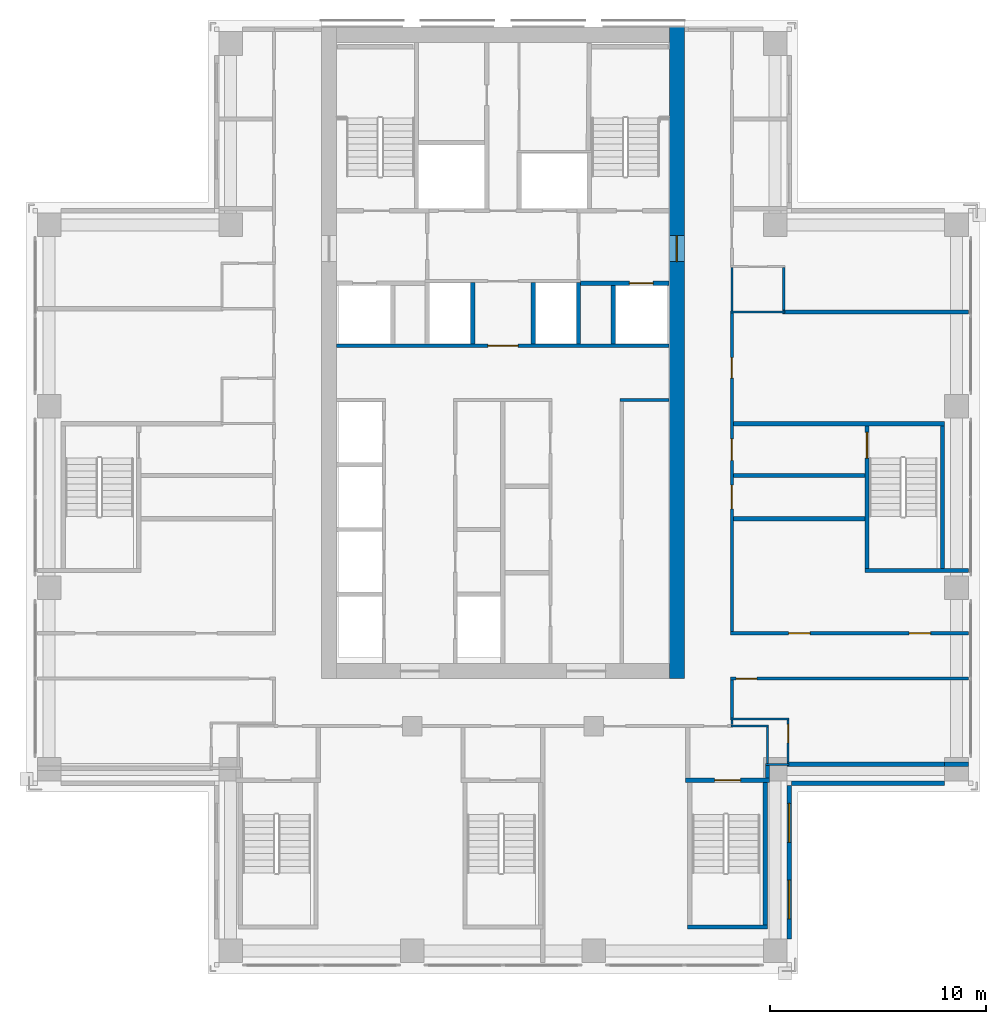
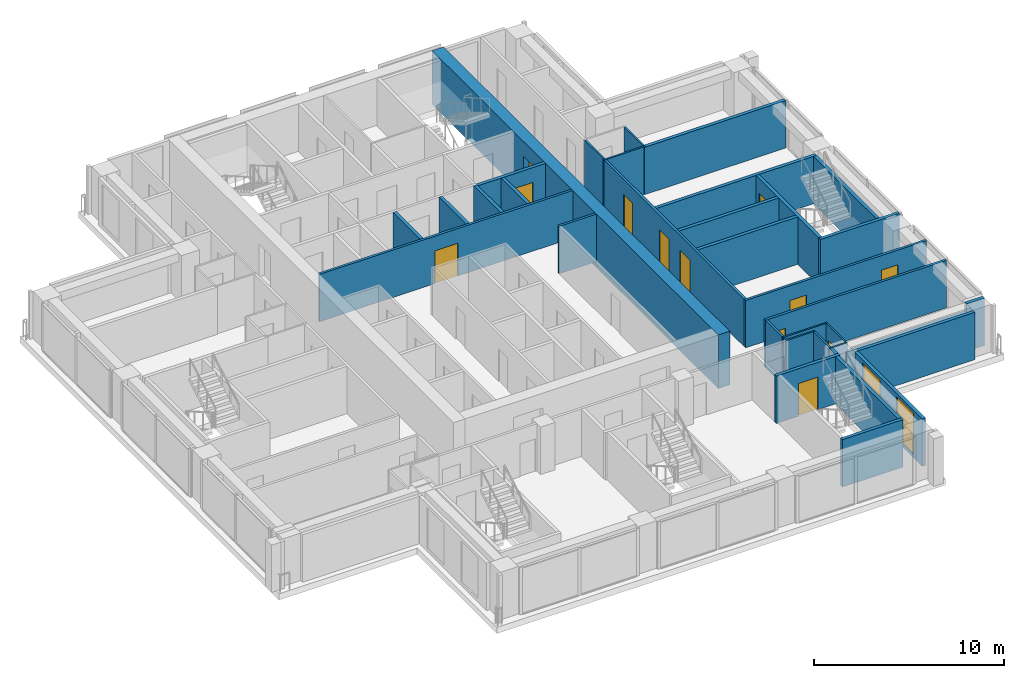
# One storey, part 11 of 16: 36 walls, 12 doors, 2 windows, 14 openings.
"""IFC4 building model written with IfcOpenShell, lengths in metres."""

from ifc_helpers import new_model, si_unit, direction, frame, frame_2d, origin, place, context, subcontext, project, spatial, rectangle, extrude, material, layer, layer_set, type_object, element, fill, save


model = new_model("IFC4")

# Units and contexts
model_context = context("Model", 3, precision=1e-05, world=origin(), true_north=direction((0.0, 1.0)))
body_context = subcontext(model_context, "Body", "Model", "MODEL_VIEW")
ifc_project = project(units=[si_unit("LENGTHUNIT", "METRE"), si_unit("AREAUNIT", "SQUARE_METRE"), si_unit("VOLUMEUNIT", "CUBIC_METRE"), si_unit("PLANEANGLEUNIT", "RADIAN"), si_unit("MASSUNIT", "GRAM", prefix="KILO")], contexts=[model_context])

# Site, building, storey
site_placement = place(None, origin())
site = spatial("IfcSite", under=ifc_project, at=site_placement, CompositionType="ELEMENT")
building_placement = place(site_placement, origin())
building = spatial("IfcBuilding", under=site, at=building_placement, Name="Vermilion Ogive Tower", CompositionType="ELEMENT")
storey_placement = place(building_placement, frame((0.0, 0.0, 160.699951171875)))
storey = spatial("IfcBuildingStorey", under=building, at=storey_placement, Name="L41", CompositionType="ELEMENT", Elevation=160.699951171875)

# Walls
ifc_material_1 = material(Name="Gypsum board partition on steel studs", Category="steel")
ifc_layer_1 = layer(ifc_material_1, 0.10009765625)
ifc_layer_set_1 = layer_set([ifc_layer_1], Name="Partition 100 bath")
wall_type_1 = type_object("IfcWallType", Name="Partition 100 bath", PredefinedType="PARTITIONING", material=ifc_layer_set_1)
wall_1_placement = place(storey_placement, frame((12.152099609375, -12.3701171875, 0.0), z_axis=(0.0, 0.0, 1.0), x_axis=(1.0, 0.0, 0.0)))
element("IfcWall", 1, at=wall_1_placement, inside=storey, type_object=wall_type_1, Name="L41-W-W009", PredefinedType="PARTITIONING", context=body_context, shape_type="SweptSolid", body=[
    extrude(rectangle(XDim=1.097900390625, YDim=0.10009765625, at=frame_2d((0.548828125, 0.0))), origin(), (0.0, 0.0, 1.0), 3.050048828125),
])
wall_2_placement = place(storey_placement, frame((10.550048828125, -10.60009765625, 0.0), z_axis=(0.0, 0.0, 1.0), x_axis=(1.0, 0.0, 0.0)))
element("IfcWall", 2, at=wall_2_placement, inside=storey, type_object=wall_type_1, Name="L41-W-W013", PredefinedType="PARTITIONING", context=body_context, shape_type="SweptSolid", body=[
    extrude(rectangle(XDim=1.75, YDim=0.10009765625, at=frame_2d((0.875, 0.0))), origin(), (0.0, 0.0, 1.0), 3.050048828125),
])
wall_3_placement = place(storey_placement, frame((10.52490234375, -10.27001953125, 0.0), z_axis=(0.0, 0.0, 1.0), x_axis=(1.0, 0.0, 0.0)))
element("IfcWall", 3, at=wall_3_placement, inside=storey, type_object=wall_type_1, Name="L41-W-W015", PredefinedType="PARTITIONING", context=body_context, shape_type="SweptSolid", body=[
    extrude(rectangle(XDim=2.72509765625, YDim=0.10009765625, at=frame_2d((1.362548828125, 0.0))), origin(), (0.0, 0.0, 1.0), 3.050048828125),
])
wall_4_placement = place(storey_placement, frame((10.52490234375, 8.570068359375, 0.0), z_axis=(0.0, 0.0, 1.0), x_axis=(1.0, 0.0, 0.0)))
element("IfcWall", 4, at=wall_4_placement, inside=storey, type_object=wall_type_1, Name="L41-W-W030", PredefinedType="PARTITIONING", context=body_context, shape_type="SweptSolid", body=[
    extrude(rectangle(XDim=2.525146484375, YDim=0.10009765625, at=frame_2d((1.2626953125, 0.0))), origin(), (0.0, 0.0, 1.0), 3.050048828125),
])
wall_5_placement = place(storey_placement, frame((10.60009765625, -10.52490234375, 0.0), z_axis=(0.0, 0.0, 1.0), x_axis=(0.0, 1.0, 0.0)))
element("IfcWall", 5, at=wall_5_placement, inside=storey, type_object=wall_type_1, Name="L41-W-W062", PredefinedType="PARTITIONING", context=body_context, shape_type="SweptSolid", body=[
    extrude(rectangle(XDim=0.204833984375, YDim=0.10009765625, at=frame_2d((0.1025390625, 0.0))), origin(), (0.0, 0.0, 1.0), 3.050048828125),
])
wall_6_placement = place(storey_placement, frame((10.60009765625, 8.6201171875, 0.0), z_axis=(0.0, 0.0, 1.0), x_axis=(0.0, 1.0, 0.0)))
element("IfcWall", 6, at=wall_6_placement, inside=storey, type_object=wall_type_1, Name="L41-W-W065", PredefinedType="PARTITIONING", context=body_context, shape_type="SweptSolid", body=[
    extrude(rectangle(XDim=2.0, YDim=0.10009765625, at=frame_2d((1.0, 0.0))), origin(), (0.0, 0.0, 1.0), 3.050048828125),
])
wall_7_placement = place(storey_placement, frame((12.25, -12.320068359375, 0.0), z_axis=(0.0, 0.0, 1.0), x_axis=(0.0, 1.0, 0.0)))
element("IfcWall", 7, at=wall_7_placement, inside=storey, type_object=wall_type_1, Name="L41-W-W069", PredefinedType="PARTITIONING", context=body_context, shape_type="SweptSolid", body=[
    extrude(rectangle(XDim=1.670166015625, YDim=0.10009765625, at=frame_2d((0.8349609375, 0.0))), origin(), (0.0, 0.0, 1.0), 3.050048828125),
])
wall_8_placement = place(storey_placement, frame((13.0, 8.669921875, 0.0), z_axis=(0.0, 0.0, 1.0), x_axis=(0.0, 1.0, 0.0)))
element("IfcWall", 8, at=wall_8_placement, inside=storey, type_object=wall_type_1, Name="L41-W-W070", PredefinedType="PARTITIONING", context=body_context, shape_type="SweptSolid", body=[
    extrude(rectangle(XDim=1.9501953125, YDim=0.10009765625, at=frame_2d((0.97509765625, 0.0))), origin(), (0.0, 0.0, 1.0), 3.050048828125),
])

# Wall, opening, door
wall_9_placement = place(storey_placement, frame((13.199951171875, -12.27001953125, 0.0), z_axis=(0.0, 0.0, 1.0), x_axis=(0.0, 1.0, 0.0)))
wall_9 = element("IfcWall", 9, at=wall_9_placement, inside=storey, type_object=wall_type_1, Name="L41-W-W071", PredefinedType="PARTITIONING", context=body_context, shape_type="SweptSolid", body=[
    extrude(rectangle(XDim=1.949951171875, YDim=0.10009765625, at=frame_2d((0.97509765625, 0.0))), origin(), (0.0, 0.0, 1.0), 3.050048828125),
])
opening_1_placement = place(wall_9_placement, frame((0.89990234375, 0.0, 0.0)))
opening_1 = element("IfcOpeningElement", 10, at=opening_1_placement, cuts=wall_9, Name="Opening D3G4012", PredefinedType="OPENING", context=body_context, shape_type="SweptSolid", body=[
    extrude(rectangle(XDim=0.85009765625, YDim=2.10009765625, at=frame_2d((0.425048828125, 1.050048828125))), frame((0.0, 0.06005859375, 0.0), z_axis=(0.0, -1.0, 0.0), x_axis=(1.0, 0.0, 0.0)), (0.0, 0.0, 1.0), 0.1201171875),
])
ifc_material_2 = material(Name="Timber door leaf", Category="wood")
door_type_1 = type_object("IfcDoorType", Name="Bath door 850 x 2100 FD30", OperationType="SINGLE_SWING_LEFT", PredefinedType="DOOR", material=ifc_material_2)
door_1_placement = place(opening_1_placement, origin())
door_1 = element("IfcDoor", 11, at=door_1_placement, inside=storey, type_object=door_type_1, Name="L41-D-D012", OperationType="SINGLE_SWING_LEFT", OverallHeight=2.10009765625, OverallWidth=0.85009765625, PredefinedType="DOOR", context=body_context, shape_type="SweptSolid", body=[
    extrude(rectangle(XDim=0.85009765625, YDim=2.10009765625, at=frame_2d((0.425048828125, 1.050048828125))), frame((0.0, 0.02490234375, 0.0), z_axis=(0.0, -1.0, 0.0), x_axis=(1.0, 0.0, 0.0)), (0.0, 0.0, 1.0), 0.050048828125),
])
fill(opening_1, door_1)

ifc_material_3 = material(Name="Gypsum board partition on steel studs", Category="steel")
ifc_layer_2 = layer(ifc_material_3, 0.14990234375)
ifc_layer_set_2 = layer_set([ifc_layer_2], Name="Partition 150 corridor")
wall_type_2 = type_object("IfcWallType", Name="Partition 150 corridor", PredefinedType="PARTITIONING", material=ifc_layer_set_2)
wall_10_placement = place(storey_placement, frame((10.52490234375, -8.39990234375, 0.0), z_axis=(0.0, 0.0, 1.0), x_axis=(1.0, 0.0, 0.0)))
wall_10 = element("IfcWall", 12, at=wall_10_placement, inside=storey, type_object=wall_type_2, Name="L41-W-W017", PredefinedType="PARTITIONING", context=body_context, shape_type="SweptSolid", body=[
    extrude(rectangle(XDim=11.025146484375, YDim=0.14990234375, at=frame_2d((5.5126953125, 0.0))), origin(), (0.0, 0.0, 1.0), 3.050048828125),
])
opening_2_placement = place(wall_10_placement, frame((0.275146484375, 0.0, 0.0)))
opening_2 = element("IfcOpeningElement", 13, at=opening_2_placement, cuts=wall_10, Name="Opening D3G4011", PredefinedType="OPENING", context=body_context, shape_type="SweptSolid", body=[
    extrude(rectangle(XDim=0.949951171875, YDim=2.10009765625, at=frame_2d((0.47509765625, 1.050048828125))), frame((0.0, 0.0849609375, 0.0), z_axis=(0.0, -1.0, 0.0), x_axis=(1.0, 0.0, 0.0)), (0.0, 0.0, 1.0), 0.169921875),
])
ifc_material_4 = material(Name="Timber door leaf", Category="wood")
door_type_2 = type_object("IfcDoorType", Name="Unit door 950 x 2100 FD30S", OperationType="SINGLE_SWING_LEFT", PredefinedType="DOOR", material=ifc_material_4)
door_2_placement = place(opening_2_placement, origin())
door_2 = element("IfcDoor", 14, at=door_2_placement, inside=storey, type_object=door_type_2, Name="L41-D-D011", OperationType="SINGLE_SWING_RIGHT", OverallHeight=2.10009765625, OverallWidth=0.949951171875, PredefinedType="DOOR", context=body_context, shape_type="SweptSolid", body=[
    extrude(rectangle(XDim=0.949951171875, YDim=2.10009765625, at=frame_2d((0.47509765625, 1.050048828125))), frame((0.0, 0.02490234375, 0.0), z_axis=(0.0, -1.0, 0.0), x_axis=(1.0, 0.0, 0.0)), (0.0, 0.0, 1.0), 0.050048828125),
])
fill(opening_2, door_2)

# Wall, openings, doors
wall_11_placement = place(storey_placement, frame((10.52490234375, -6.300048828125, 0.0), z_axis=(0.0, 0.0, 1.0), x_axis=(1.0, 0.0, 0.0)))
wall_11 = element("IfcWall", 15, at=wall_11_placement, inside=storey, type_object=wall_type_2, Name="L41-W-W019", PredefinedType="PARTITIONING", context=body_context, shape_type="SweptSolid", body=[
    extrude(rectangle(XDim=11.025146484375, YDim=0.14990234375, at=frame_2d((5.5126953125, 0.0))), origin(), (0.0, 0.0, 1.0), 3.050048828125),
])
opening_3_placement = place(wall_11_placement, frame((2.7001953125, 0.0, 0.0)))
opening_3 = element("IfcOpeningElement", 16, at=opening_3_placement, cuts=wall_11, Name="Opening D3G4030", PredefinedType="OPENING", context=body_context, shape_type="SweptSolid", body=[
    extrude(rectangle(XDim=1.0, YDim=2.10009765625, at=frame_2d((0.5, 1.050048828125))), frame((0.0, 0.0849609375, 0.0), z_axis=(0.0, -1.0, 0.0), x_axis=(1.0, 0.0, 0.0)), (0.0, 0.0, 1.0), 0.169921875),
])
opening_4_placement = place(wall_11_placement, frame((8.275634765625, 0.0, 0.0)))
opening_4 = element("IfcOpeningElement", 17, at=opening_4_placement, cuts=wall_11, Name="Opening D3G4031", PredefinedType="OPENING", context=body_context, shape_type="SweptSolid", body=[
    extrude(rectangle(XDim=1.0, YDim=2.10009765625, at=frame_2d((0.5, 1.050048828125))), frame((0.0, 0.0849609375, 0.0), z_axis=(0.0, -1.0, 0.0), x_axis=(1.0, 0.0, 0.0)), (0.0, 0.0, 1.0), 0.169921875),
])
ifc_material_5 = material(Name="Timber door leaf", Category="wood")
door_type_3 = type_object("IfcDoorType", Name="Unit door 1000 x 2100 FD30S", OperationType="SINGLE_SWING_LEFT", PredefinedType="DOOR", material=ifc_material_5)
door_3_placement = place(opening_3_placement, origin())
door_3 = element("IfcDoor", 18, at=door_3_placement, inside=storey, type_object=door_type_3, Name="L41-D-D030", OperationType="SINGLE_SWING_RIGHT", OverallHeight=2.10009765625, OverallWidth=1.0, PredefinedType="DOOR", context=body_context, shape_type="SweptSolid", body=[
    extrude(rectangle(XDim=1.0, YDim=2.10009765625, at=frame_2d((0.5, 1.050048828125))), frame((0.0, 0.02490234375, 0.0), z_axis=(0.0, -1.0, 0.0), x_axis=(1.0, 0.0, 0.0)), (0.0, 0.0, 1.0), 0.050048828125),
])
fill(opening_3, door_3)
door_4_placement = place(opening_4_placement, origin())
door_4 = element("IfcDoor", 19, at=door_4_placement, inside=storey, type_object=door_type_3, Name="L41-D-D031", OperationType="SINGLE_SWING_RIGHT", OverallHeight=2.10009765625, OverallWidth=1.0, PredefinedType="DOOR", context=body_context, shape_type="SweptSolid", body=[
    extrude(rectangle(XDim=1.0, YDim=2.10009765625, at=frame_2d((0.5, 1.050048828125))), frame((0.0, 0.02490234375, 0.0), z_axis=(0.0, -1.0, 0.0), x_axis=(1.0, 0.0, 0.0)), (0.0, 0.0, 1.0), 0.050048828125),
])
fill(opening_4, door_4)

# Wall
wall_12_placement = place(storey_placement, frame((10.60009765625, -10.219970703125, 0.0), z_axis=(0.0, 0.0, 1.0), x_axis=(0.0, 1.0, 0.0)))
element("IfcWall", 20, at=wall_12_placement, inside=storey, type_object=wall_type_2, Name="L41-W-W063", PredefinedType="PARTITIONING", context=body_context, shape_type="SweptSolid", body=[
    extrude(rectangle(XDim=1.744873046875, YDim=0.14990234375, at=frame_2d((0.87255859375, 0.0))), origin(), (0.0, 0.0, 1.0), 3.050048828125),
])

# Wall, openings, doors
wall_13_placement = place(storey_placement, frame((10.60009765625, -6.22509765625, 0.0), z_axis=(0.0, 0.0, 1.0), x_axis=(0.0, 1.0, 0.0)))
wall_13 = element("IfcWall", 21, at=wall_13_placement, inside=storey, type_object=wall_type_2, Name="L41-W-W064", PredefinedType="PARTITIONING", context=body_context, shape_type="SweptSolid", body=[
    extrude(rectangle(XDim=14.7451171875, YDim=0.14990234375, at=frame_2d((7.37255859375, 0.0))), origin(), (0.0, 0.0, 1.0), 3.050048828125),
])
opening_5_placement = place(wall_13_placement, frame((11.735107421875, 0.0, 0.0)))
opening_5 = element("IfcOpeningElement", 22, at=opening_5_placement, cuts=wall_13, Name="Opening D3G4013", PredefinedType="OPENING", context=body_context, shape_type="SweptSolid", body=[
    extrude(rectangle(XDim=0.949951171875, YDim=2.10009765625, at=frame_2d((0.47509765625, 1.050048828125))), frame((0.0, 0.0849609375, 0.0), z_axis=(0.0, -1.0, 0.0), x_axis=(1.0, 0.0, 0.0)), (0.0, 0.0, 1.0), 0.169921875),
])
opening_6_placement = place(wall_13_placement, frame((5.675048828125, 0.0, 0.0)))
opening_6 = element("IfcOpeningElement", 23, at=opening_6_placement, cuts=wall_13, Name="Opening D3G4024", PredefinedType="OPENING", context=body_context, shape_type="SweptSolid", body=[
    extrude(rectangle(XDim=1.10009765625, YDim=2.10009765625, at=frame_2d((0.550048828125, 1.050048828125))), frame((0.0, 0.0849609375, 0.0), z_axis=(0.0, -1.0, 0.0), x_axis=(1.0, 0.0, 0.0)), (0.0, 0.0, 1.0), 0.169921875),
])
opening_7_placement = place(wall_13_placement, frame((7.925048828125, 0.0, 0.0)))
opening_7 = element("IfcOpeningElement", 24, at=opening_7_placement, cuts=wall_13, Name="Opening D3G4033", PredefinedType="OPENING", context=body_context, shape_type="SweptSolid", body=[
    extrude(rectangle(XDim=1.0, YDim=2.10009765625, at=frame_2d((0.5, 1.050048828125))), frame((0.0, 0.0849609375, 0.0), z_axis=(0.0, -1.0, 0.0), x_axis=(1.0, 0.0, 0.0)), (0.0, 0.0, 1.0), 0.169921875),
])
ifc_material_6 = material(Name="Timber door leaf", Category="wood")
door_type_4 = type_object("IfcDoorType", Name="Stair door 1100 x 2100 FD60S", OperationType="SINGLE_SWING_LEFT", PredefinedType="DOOR", material=ifc_material_6)
door_5_placement = place(opening_6_placement, origin())
door_5 = element("IfcDoor", 25, at=door_5_placement, inside=storey, type_object=door_type_4, Name="L41-D-D024", OperationType="SINGLE_SWING_LEFT", OverallHeight=2.10009765625, OverallWidth=1.10009765625, PredefinedType="DOOR", context=body_context, shape_type="SweptSolid", body=[
    extrude(rectangle(XDim=1.10009765625, YDim=2.10009765625, at=frame_2d((0.550048828125, 1.050048828125))), frame((0.0, 0.02490234375, 0.0), z_axis=(0.0, -1.0, 0.0), x_axis=(1.0, 0.0, 0.0)), (0.0, 0.0, 1.0), 0.050048828125),
])
fill(opening_6, door_5)
door_6_placement = place(opening_7_placement, origin())
door_6 = element("IfcDoor", 26, at=door_6_placement, inside=storey, type_object=door_type_3, Name="L41-D-D033", OperationType="SINGLE_SWING_RIGHT", OverallHeight=2.10009765625, OverallWidth=1.0, PredefinedType="DOOR", context=body_context, shape_type="SweptSolid", body=[
    extrude(rectangle(XDim=1.0, YDim=2.10009765625, at=frame_2d((0.5, 1.050048828125))), frame((0.0, 0.02490234375, 0.0), z_axis=(0.0, -1.0, 0.0), x_axis=(1.0, 0.0, 0.0)), (0.0, 0.0, 1.0), 0.050048828125),
])
fill(opening_7, door_6)
door_7_placement = place(opening_5_placement, origin())
door_7 = element("IfcDoor", 27, at=door_7_placement, inside=storey, type_object=door_type_2, Name="L41-D-D013", OperationType="SINGLE_SWING_LEFT", OverallHeight=2.10009765625, OverallWidth=0.949951171875, PredefinedType="DOOR", context=body_context, shape_type="SweptSolid", body=[
    extrude(rectangle(XDim=0.949951171875, YDim=2.10009765625, at=frame_2d((0.47509765625, 1.050048828125))), frame((0.0, 0.02490234375, 0.0), z_axis=(0.0, -1.0, 0.0), x_axis=(1.0, 0.0, 0.0)), (0.0, 0.0, 1.0), 0.050048828125),
])
fill(opening_5, door_7)

# Wall
wall_14_placement = place(storey_placement, frame((5.425048828125, 4.5, 0.0), z_axis=(0.0, 0.0, 1.0), x_axis=(1.0, 0.0, 0.0)))
element("IfcWall", 28, at=wall_14_placement, inside=storey, type_object=wall_type_2, Name="L41-CK-W-W010", PredefinedType="PARTITIONING", context=body_context, shape_type="SweptSolid", body=[
    extrude(rectangle(XDim=2.27392578125, YDim=0.14990234375, at=frame_2d((1.136962890625, 0.0))), origin(), (0.0, 0.0, 1.0), 3.050048828125),
])

# Wall, opening, door
wall_15_placement = place(storey_placement, frame((-7.698974609375, 7.0, 0.0), z_axis=(0.0, 0.0, 1.0), x_axis=(1.0, 0.0, 0.0)))
wall_15 = element("IfcWall", 29, at=wall_15_placement, inside=storey, type_object=wall_type_2, Name="L41-CK-W-W011", PredefinedType="PARTITIONING", context=body_context, shape_type="SweptSolid", body=[
    extrude(rectangle(XDim=15.39794921875, YDim=0.14990234375, at=frame_2d((7.698974609375, 0.0))), origin(), (0.0, 0.0, 1.0), 3.050048828125),
])
opening_8_placement = place(wall_15_placement, frame((6.9990234375, 0.0, 0.0)))
opening_8 = element("IfcOpeningElement", 30, at=opening_8_placement, cuts=wall_15, Name="Opening DAA349", PredefinedType="OPENING", context=body_context, shape_type="SweptSolid", body=[
    extrude(rectangle(XDim=1.39990234375, YDim=2.10009765625, at=frame_2d((0.699951171875, 1.050048828125))), frame((0.0, 0.0849609375, 0.0), z_axis=(0.0, -1.0, 0.0), x_axis=(1.0, 0.0, 0.0)), (0.0, 0.0, 1.0), 0.169921875),
])
ifc_material_7 = material(Name="Timber door leaf", Category="wood")
door_type_5 = type_object("IfcDoorType", Name="Lobby door 1400 x 2100 FD60S", OperationType="SINGLE_SWING_LEFT", PredefinedType="DOOR", material=ifc_material_7)
door_8_placement = place(opening_8_placement, origin())
door_8 = element("IfcDoor", 31, at=door_8_placement, inside=storey, type_object=door_type_5, Name="L41-CK-D-D016", OperationType="SINGLE_SWING_RIGHT", OverallHeight=2.10009765625, OverallWidth=1.39990234375, PredefinedType="DOOR", context=body_context, shape_type="SweptSolid", body=[
    extrude(rectangle(XDim=1.39990234375, YDim=2.10009765625, at=frame_2d((0.699951171875, 1.050048828125))), frame((0.0, 0.02490234375, 0.0), z_axis=(0.0, -1.0, 0.0), x_axis=(1.0, 0.0, 0.0)), (0.0, 0.0, 1.0), 0.050048828125),
])
fill(opening_8, door_8)

# Walls
ifc_material_8 = material(Name="Gypsum board partition on steel studs", Category="steel")
ifc_layer_3 = layer(ifc_material_8, 0.199951171875)
ifc_layer_set_3 = layer_set([ifc_layer_3], Name="Partition 200 party")
wall_type_3 = type_object("IfcWallType", Name="Partition 200 party", PredefinedType="PARTITIONING", material=ifc_layer_set_3)
for number, where, z_axis, x_axis, name in (
    (32, (10.675048828125, -1.0, 0.0), (0.0, 0.0, 1.0), (1.0, 0.0, 0.0), "L41-W-W023"),
    (33, (10.675048828125, 1.0, 0.0), (0.0, 0.0, 1.0), (1.0, 0.0, 0.0), "L41-W-W025"),
):
    element("IfcWall", number, at=place(storey_placement, frame(where, z_axis=z_axis, x_axis=x_axis)), inside=storey, type_object=wall_type_3, Name=name, PredefinedType="PARTITIONING", context=body_context, shape_type="SweptSolid", body=[
        extrude(rectangle(XDim=6.074951171875, YDim=0.199951171875, at=frame_2d((3.03759765625, 0.0))), origin(), (0.0, 0.0, 1.0), 3.050048828125),
    ])
wall_16_placement = place(storey_placement, frame((12.949951171875, 8.570068359375, 0.0), z_axis=(0.0, 0.0, 1.0), x_axis=(1.0, 0.0, 0.0)))
element("IfcWall", 34, at=wall_16_placement, inside=storey, type_object=wall_type_3, Name="L41-W-W031", PredefinedType="PARTITIONING", context=body_context, shape_type="SweptSolid", body=[
    extrude(rectangle(XDim=8.60009765625, YDim=0.199951171875, at=frame_2d((4.300048828125, 0.0))), origin(), (0.0, 0.0, 1.0), 3.050048828125),
])
wall_17_placement = place(storey_placement, frame((12.25, -12.998046875, 0.0), z_axis=(0.0, 0.0, 1.0), x_axis=(0.0, 1.0, 0.0)))
element("IfcWall", 35, at=wall_17_placement, inside=storey, type_object=wall_type_3, Name="L41-W-W068", PredefinedType="PARTITIONING", context=body_context, shape_type="SweptSolid", body=[
    extrude(rectangle(XDim=0.575927734375, YDim=0.199951171875, at=frame_2d((0.2880859375, 0.0))), origin(), (0.0, 0.0, 1.0), 3.050048828125),
])

# Wall, opening, door
wall_18_placement = place(storey_placement, frame((3.60009765625, 9.89990234375, 0.0), z_axis=(0.0, 0.0, 1.0), x_axis=(1.0, 0.0, 0.0)))
wall_18 = element("IfcWall", 36, at=wall_18_placement, inside=storey, type_object=wall_type_3, Name="L41-CK-W-W013", PredefinedType="PARTITIONING", context=body_context, shape_type="SweptSolid", body=[
    extrude(rectangle(XDim=4.098876953125, YDim=0.199951171875, at=frame_2d((2.04931640625, 0.0))), origin(), (0.0, 0.0, 1.0), 3.050048828125),
])
opening_9_placement = place(wall_18_placement, frame((2.25, 0.0, 0.0)))
opening_9 = element("IfcOpeningElement", 37, at=opening_9_placement, cuts=wall_18, Name="Opening DAA368", PredefinedType="OPENING", context=body_context, shape_type="SweptSolid", body=[
    extrude(rectangle(XDim=1.10009765625, YDim=2.10009765625, at=frame_2d((0.550048828125, 1.050048828125))), frame((0.0, 0.10986328125, 0.0), z_axis=(0.0, -1.0, 0.0), x_axis=(1.0, 0.0, 0.0)), (0.0, 0.0, 1.0), 0.219970703125),
])
ifc_material_9 = material(Name="Stainless steel", Category="steel")
door_type_6 = type_object("IfcDoorType", Name="Lift landing door 1100 x 2100", OperationType="SLIDING_TO_LEFT", PredefinedType="DOOR", material=ifc_material_9)
door_9_placement = place(opening_9_placement, origin())
door_9 = element("IfcDoor", 38, at=door_9_placement, inside=storey, type_object=door_type_6, Name="L41-CK-D-D015", OperationType="SLIDING_TO_LEFT", OverallHeight=2.10009765625, OverallWidth=1.10009765625, PredefinedType="DOOR", context=body_context, shape_type="SweptSolid", body=[
    extrude(rectangle(XDim=1.10009765625, YDim=2.10009765625, at=frame_2d((0.550048828125, 1.050048828125))), frame((0.0, 0.02490234375, 0.0), z_axis=(0.0, -1.0, 0.0), x_axis=(1.0, 0.0, 0.0)), (0.0, 0.0, 1.0), 0.050048828125),
])
fill(opening_9, door_9)

# Walls
for number, where, z_axis, x_axis, name in (
    (39, (-1.39990234375, 7.074951171875, 0.0), (0.0, 0.0, 1.0), (0.0, 1.0, 0.0), "L41-CK-W-W026"),
    (40, (1.39990234375, 7.074951171875, 0.0), (0.0, 0.0, 1.0), (0.0, 1.0, 0.0), "L41-CK-W-W031"),
    (41, (3.5, 7.074951171875, 0.0), (0.0, 0.0, 1.0), (0.0, 1.0, 0.0), "L41-CK-W-W033"),
):
    element("IfcWall", number, at=place(storey_placement, frame(where, z_axis=z_axis, x_axis=x_axis)), inside=storey, type_object=wall_type_3, Name=name, PredefinedType="PARTITIONING", context=body_context, shape_type="SweptSolid", body=[
        extrude(rectangle(XDim=2.85009765625, YDim=0.199951171875, at=frame_2d((1.425048828125, 0.0))), origin(), (0.0, 0.0, 1.0), 3.050048828125),
    ])
wall_19_placement = place(storey_placement, frame((5.10009765625, 7.074951171875, 0.0), z_axis=(0.0, 0.0, 1.0), x_axis=(0.0, 1.0, 0.0)))
element("IfcWall", 42, at=wall_19_placement, inside=storey, type_object=wall_type_3, Name="L41-CK-W-W037", PredefinedType="PARTITIONING", context=body_context, shape_type="SweptSolid", body=[
    extrude(rectangle(XDim=2.72509765625, YDim=0.199951171875, at=frame_2d((1.362548828125, 0.0))), origin(), (0.0, 0.0, 1.0), 3.050048828125),
])
wall_20_placement = place(storey_placement, frame((13.14990234375, -12.3701171875, 0.0), z_axis=(0.0, 0.0, 1.0), x_axis=(1.0, 0.0, 0.0)))
element("IfcWall", 43, at=wall_20_placement, inside=storey, type_object=wall_type_3, Name="L41-W-W010-h1", PredefinedType="PARTITIONING", context=body_context, shape_type="SweptSolid", body=[
    extrude(rectangle(XDim=7.300048828125, YDim=0.199951171875, at=frame_2d((3.64990234375, 0.0))), origin(), (0.0, 0.0, 1.0), 2.5),
])
wall_21_placement = place(storey_placement, frame((20.449951171875, -12.3701171875, 0.0), z_axis=(0.0, 0.0, 1.0), x_axis=(1.0, 0.0, 0.0)))
element("IfcWall", 44, at=wall_21_placement, inside=storey, type_object=wall_type_3, Name="L41-W-W010-h2", PredefinedType="PARTITIONING", context=body_context, shape_type="SweptSolid", body=[
    extrude(rectangle(XDim=1.10009765625, YDim=0.199951171875, at=frame_2d((0.550048828125, 0.0))), origin(), (0.0, 0.0, 1.0), 3.050048828125),
])

# Wall, opening, door
ifc_material_10 = material(Name="Concrete B60", Category="concrete")
ifc_layer_4 = layer(ifc_material_10, 0.199951171875)
ifc_layer_set_4 = layer_set([ifc_layer_4], Name="Stair shaft wall 200 Concrete B60")
wall_type_4 = type_object("IfcWallType", Name="Stair shaft wall 200 Concrete B60", PredefinedType="SOLIDWALL", material=ifc_layer_set_4)
wall_22_placement = place(storey_placement, frame((8.050048828125, -8.39990234375, -0.39990234375), z_axis=(0.0, 0.0, 1.0), x_axis=(0.0, 1.0, 0.0)))
wall_22 = element("IfcWall", 45, at=wall_22_placement, inside=storey, type_object=wall_type_4, Name="L41-CORE-E", PredefinedType="SOLIDWALL", context=body_context, shape_type="SweptSolid", body=[
    extrude(rectangle(XDim=30.14990234375, YDim=0.699951171875, at=frame_2d((15.074951171875, 0.0))), origin(), (0.0, 0.0, 1.0), 3.449951171875),
])
opening_10_placement = place(wall_22_placement, frame((19.300048828125, 0.0, 0.39990234375)))
opening_10 = element("IfcOpeningElement", 46, at=opening_10_placement, cuts=wall_22, Name="Opening DAL016", PredefinedType="OPENING", context=body_context, shape_type="SweptSolid", body=[
    extrude(rectangle(XDim=1.199951171875, YDim=2.10009765625, at=frame_2d((0.60009765625, 1.050048828125))), frame((0.0, 0.35986328125, 0.0), z_axis=(0.0, -1.0, 0.0), x_axis=(1.0, 0.0, 0.0)), (0.0, 0.0, 1.0), 0.719970703125),
])
ifc_material_11 = material(Name="Timber door leaf", Category="wood")
door_type_7 = type_object("IfcDoorType", Name="Link door 1200 x 2100 FD60S", OperationType="SINGLE_SWING_LEFT", PredefinedType="DOOR", material=ifc_material_11)
door_10_placement = place(opening_10_placement, origin())
door_10 = element("IfcDoor", 47, at=door_10_placement, inside=storey, type_object=door_type_7, Name="L41-CK-XD4", OperationType="SINGLE_SWING_LEFT", OverallHeight=2.10009765625, OverallWidth=1.199951171875, PredefinedType="DOOR", context=body_context, shape_type="SweptSolid", body=[
    extrude(rectangle(XDim=1.199951171875, YDim=2.10009765625, at=frame_2d((0.60009765625, 1.050048828125))), frame((0.0, 0.02490234375, 0.0), z_axis=(0.0, -1.0, 0.0), x_axis=(1.0, 0.0, 0.0)), (0.0, 0.0, 1.0), 0.050048828125),
])
fill(opening_10, door_10)

# Wall
wall_23_placement = place(storey_placement, frame((8.552001953125, -19.89990234375, 0.0), z_axis=(0.0, 0.0, 1.0), x_axis=(1.0, 0.0, 0.0)))
element("IfcWall", 48, at=wall_23_placement, inside=storey, type_object=wall_type_4, Name="L41-W-W003", PredefinedType="SOLIDWALL", context=body_context, shape_type="SweptSolid", body=[
    extrude(rectangle(XDim=3.696044921875, YDim=0.199951171875, at=frame_2d((1.84814453125, 0.0))), origin(), (0.0, 0.0, 1.0), 3.050048828125),
])

# Wall, opening, door
wall_24_placement = place(storey_placement, frame((8.451904296875, -13.10009765625, 0.0), z_axis=(0.0, 0.0, 1.0), x_axis=(1.0, 0.0, 0.0)))
wall_24 = element("IfcWall", 49, at=wall_24_placement, inside=storey, type_object=wall_type_4, Name="L41-W-W006", PredefinedType="SOLIDWALL", context=body_context, shape_type="SweptSolid", body=[
    extrude(rectangle(XDim=3.89599609375, YDim=0.199951171875, at=frame_2d((1.947998046875, 0.0))), origin(), (0.0, 0.0, 1.0), 3.050048828125),
])
opening_11_placement = place(wall_24_placement, frame((1.34814453125, 0.0, 0.0)))
opening_11 = element("IfcOpeningElement", 50, at=opening_11_placement, cuts=wall_24, Name="Opening D3G4023", PredefinedType="OPENING", context=body_context, shape_type="SweptSolid", body=[
    extrude(rectangle(XDim=1.199951171875, YDim=2.10009765625, at=frame_2d((0.60009765625, 1.050048828125))), frame((0.0, 0.10986328125, 0.0), z_axis=(0.0, -1.0, 0.0), x_axis=(1.0, 0.0, 0.0)), (0.0, 0.0, 1.0), 0.219970703125),
])
ifc_material_12 = material(Name="Timber door leaf", Category="wood")
door_type_8 = type_object("IfcDoorType", Name="Stair door 1200 x 2100 FD60S", OperationType="SINGLE_SWING_LEFT", PredefinedType="DOOR", material=ifc_material_12)
door_11_placement = place(opening_11_placement, origin())
door_11 = element("IfcDoor", 51, at=door_11_placement, inside=storey, type_object=door_type_8, Name="L41-D-D023", OperationType="SINGLE_SWING_RIGHT", OverallHeight=2.10009765625, OverallWidth=1.199951171875, PredefinedType="DOOR", context=body_context, shape_type="SweptSolid", body=[
    extrude(rectangle(XDim=1.199951171875, YDim=2.10009765625, at=frame_2d((0.60009765625, 1.050048828125))), frame((0.0, 0.02490234375, 0.0), z_axis=(0.0, -1.0, 0.0), x_axis=(1.0, 0.0, 0.0)), (0.0, 0.0, 1.0), 0.050048828125),
])
fill(opening_11, door_11)

# Walls
wall_25_placement = place(storey_placement, frame((16.7509765625, -3.39990234375, 0.0), z_axis=(0.0, 0.0, 1.0), x_axis=(1.0, 0.0, 0.0)))
element("IfcWall", 52, at=wall_25_placement, inside=storey, type_object=wall_type_4, Name="L41-W-W021", PredefinedType="SOLIDWALL", context=body_context, shape_type="SweptSolid", body=[
    extrude(rectangle(XDim=4.799072265625, YDim=0.199951171875, at=frame_2d((2.3994140625, 0.0))), origin(), (0.0, 0.0, 1.0), 3.050048828125),
])
wall_26_placement = place(storey_placement, frame((10.675048828125, 3.39990234375, 0.0), z_axis=(0.0, 0.0, 1.0), x_axis=(1.0, 0.0, 0.0)))
element("IfcWall", 53, at=wall_26_placement, inside=storey, type_object=wall_type_4, Name="L41-W-W028", PredefinedType="SOLIDWALL", context=body_context, shape_type="SweptSolid", body=[
    extrude(rectangle(XDim=9.77294921875, YDim=0.199951171875, at=frame_2d((4.886474609375, 0.0))), origin(), (0.0, 0.0, 1.0), 3.050048828125),
])
wall_27_placement = place(storey_placement, frame((12.14990234375, -19.798095703125, 0.0), z_axis=(0.0, 0.0, 1.0), x_axis=(0.0, 1.0, 0.0)))
element("IfcWall", 54, at=wall_27_placement, inside=storey, type_object=wall_type_4, Name="L41-W-W067", PredefinedType="SOLIDWALL", context=body_context, shape_type="SweptSolid", body=[
    extrude(rectangle(XDim=6.59619140625, YDim=0.199951171875, at=frame_2d((3.298095703125, 0.0))), origin(), (0.0, 0.0, 1.0), 3.050048828125),
])

# Wall, opening, door
wall_28_placement = place(storey_placement, frame((16.85009765625, -3.300048828125, 0.0), z_axis=(0.0, 0.0, 1.0), x_axis=(0.0, 1.0, 0.0)))
wall_28 = element("IfcWall", 55, at=wall_28_placement, inside=storey, type_object=wall_type_4, Name="L41-W-W072", PredefinedType="SOLIDWALL", context=body_context, shape_type="SweptSolid", body=[
    extrude(rectangle(XDim=6.60009765625, YDim=0.199951171875, at=frame_2d((3.300048828125, 0.0))), origin(), (0.0, 0.0, 1.0), 3.050048828125),
])
opening_12_placement = place(wall_28_placement, frame((5.10009765625, 0.0, 0.0)))
opening_12 = element("IfcOpeningElement", 56, at=opening_12_placement, cuts=wall_28, Name="Opening D3G4025", PredefinedType="OPENING", context=body_context, shape_type="SweptSolid", body=[
    extrude(rectangle(XDim=1.199951171875, YDim=2.10009765625, at=frame_2d((0.60009765625, 1.050048828125))), frame((0.0, 0.10986328125, 0.0), z_axis=(0.0, -1.0, 0.0), x_axis=(1.0, 0.0, 0.0)), (0.0, 0.0, 1.0), 0.219970703125),
])
door_12_placement = place(opening_12_placement, origin())
door_12 = element("IfcDoor", 57, at=door_12_placement, inside=storey, type_object=door_type_8, Name="L41-D-D025", OperationType="SINGLE_SWING_LEFT", OverallHeight=2.10009765625, OverallWidth=1.199951171875, PredefinedType="DOOR", context=body_context, shape_type="SweptSolid", body=[
    extrude(rectangle(XDim=1.199951171875, YDim=2.10009765625, at=frame_2d((0.60009765625, 1.050048828125))), frame((0.0, 0.02490234375, 0.0), z_axis=(0.0, -1.0, 0.0), x_axis=(1.0, 0.0, 0.0)), (0.0, 0.0, 1.0), 0.050048828125),
])
fill(opening_12, door_12)

# Wall
wall_29_placement = place(storey_placement, frame((20.35009765625, -3.298095703125, 0.0), z_axis=(0.0, 0.0, 1.0), x_axis=(0.0, 1.0, 0.0)))
element("IfcWall", 58, at=wall_29_placement, inside=storey, type_object=wall_type_4, Name="L41-W-W073", PredefinedType="SOLIDWALL", context=body_context, shape_type="SweptSolid", body=[
    extrude(rectangle(XDim=6.59619140625, YDim=0.199951171875, at=frame_2d((3.298095703125, 0.0))), origin(), (0.0, 0.0, 1.0), 3.050048828125),
])

# Wall, openings, windows
ifc_material_13 = material(Name="Aluminium window wall framing", Category="aluminium")
ifc_layer_5 = layer(ifc_material_13, 0.199951171875)
ifc_layer_set_5 = layer_set([ifc_layer_5], Name="Window wall")
wall_type_5 = type_object("IfcWallType", Name="Window wall", PredefinedType="STANDARD", material=ifc_layer_set_5)
wall_30_placement = place(storey_placement, frame((13.25, -20.449951171875, 0.0), z_axis=(0.0, 0.0, 1.0), x_axis=(0.0, 1.0, 0.0)))
wall_30 = element("IfcWall", 59, at=wall_30_placement, inside=storey, type_object=wall_type_5, Name="Window wall X11", PredefinedType="STANDARD", context=body_context, shape_type="SweptSolid", body=[
    extrude(rectangle(XDim=7.099853515625, YDim=0.199951171875, at=frame_2d((3.5498046875, 0.0))), origin(), (0.0, 0.0, 1.0), 3.050048828125),
])
opening_13_placement = place(wall_30_placement, frame((0.925048828125, 0.0, 0.199951171875)))
opening_13 = element("IfcOpeningElement", 60, at=opening_13_placement, cuts=wall_30, Name="Opening W1-X195", PredefinedType="OPENING", context=body_context, shape_type="SweptSolid", body=[
    extrude(rectangle(XDim=1.800048828125, YDim=2.64990234375, at=frame_2d((0.89990234375, 1.324951171875))), frame((0.0, 0.10986328125, 0.0), z_axis=(0.0, -1.0, 0.0), x_axis=(1.0, 0.0, 0.0)), (0.0, 0.0, 1.0), 0.219970703125),
])
opening_14_placement = place(wall_30_placement, frame((4.47509765625, 0.0, 0.199951171875)))
opening_14 = element("IfcOpeningElement", 61, at=opening_14_placement, cuts=wall_30, Name="Opening W1-X196", PredefinedType="OPENING", context=body_context, shape_type="SweptSolid", body=[
    extrude(rectangle(XDim=1.800048828125, YDim=2.64990234375, at=frame_2d((0.89990234375, 1.324951171875))), frame((0.0, 0.10986328125, 0.0), z_axis=(0.0, -1.0, 0.0), x_axis=(1.0, 0.0, 0.0)), (0.0, 0.0, 1.0), 0.219970703125),
])
ifc_material_14 = material(Name="Aluminium framed double glazing", Category="aluminium")
window_type = type_object("IfcWindowType", Name="Guest window W1", PartitioningType="SINGLE_PANEL", PredefinedType="WINDOW", material=ifc_material_14)
window_1_placement = place(opening_13_placement, origin())
window_1 = element("IfcWindow", 62, at=window_1_placement, inside=storey, type_object=window_type, Name="Window X195", OverallHeight=2.64990234375, OverallWidth=1.800048828125, PartitioningType="SINGLE_PANEL", PredefinedType="WINDOW", context=body_context, shape_type="SweptSolid", body=[
    extrude(rectangle(XDim=1.800048828125, YDim=2.64990234375, at=frame_2d((0.89990234375, 1.324951171875))), frame((0.0, 0.030029296875, 0.0), z_axis=(0.0, -1.0, 0.0), x_axis=(1.0, 0.0, 0.0)), (0.0, 0.0, 1.0), 0.06005859375),
])
fill(opening_13, window_1)
window_2_placement = place(opening_14_placement, origin())
window_2 = element("IfcWindow", 63, at=window_2_placement, inside=storey, type_object=window_type, Name="Window X196", OverallHeight=2.64990234375, OverallWidth=1.800048828125, PartitioningType="SINGLE_PANEL", PredefinedType="WINDOW", context=body_context, shape_type="SweptSolid", body=[
    extrude(rectangle(XDim=1.800048828125, YDim=2.64990234375, at=frame_2d((0.89990234375, 1.324951171875))), frame((0.0, 0.030029296875, 0.0), z_axis=(0.0, -1.0, 0.0), x_axis=(1.0, 0.0, 0.0)), (0.0, 0.0, 1.0), 0.06005859375),
])
fill(opening_14, window_2)

# Wall
wall_31_placement = place(storey_placement, frame((13.35009765625, -13.25, 0.0), z_axis=(0.0, 0.0, 1.0), x_axis=(1.0, 0.0, 0.0)))
element("IfcWall", 64, at=wall_31_placement, inside=storey, type_object=wall_type_5, Name="Window wall X21", PredefinedType="STANDARD", context=body_context, shape_type="SweptSolid", body=[
    extrude(rectangle(XDim=7.099853515625, YDim=0.199951171875, at=frame_2d((3.5498046875, 0.0))), origin(), (0.0, 0.0, 1.0), 3.050048828125),
])

save(model, "model.ifc")
